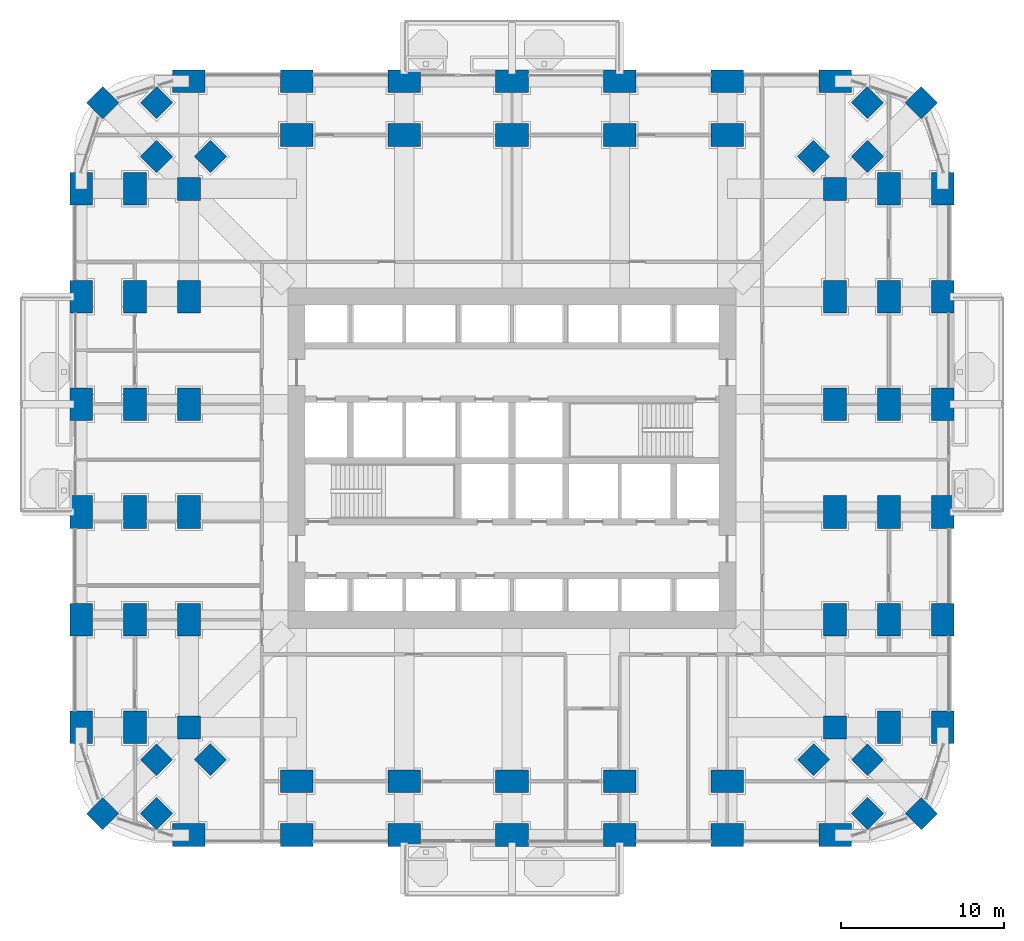
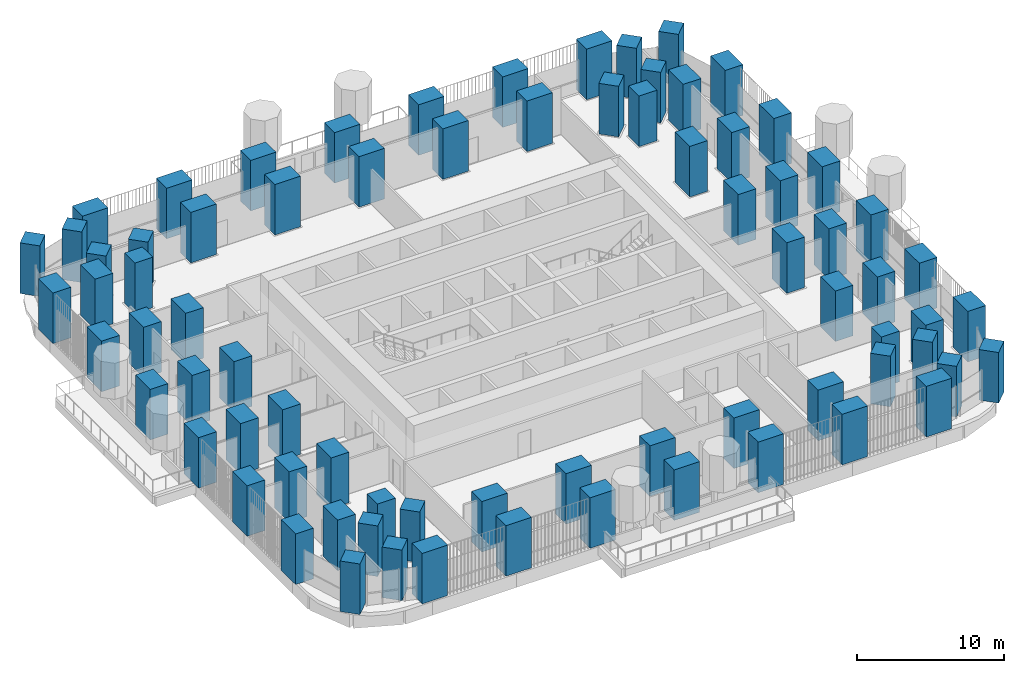
# One storey, part 1 of 24: 76 columns.
"""IFC4 building model written with IfcOpenShell, lengths in metres."""

from ifc_helpers import new_model, si_unit, direction, frame, origin, origin_2d, place, context, subcontext, project, spatial, rectangle, extrude, material, material_profile, profile_set, type_object, element, save


model = new_model("IFC4")

# Units and contexts
model_context = context("Model", 3, precision=1e-05, world=origin(), true_north=direction((0.0, 1.0)))
body_context = subcontext(model_context, "Body", "Model", "MODEL_VIEW")
ifc_project = project(units=[si_unit("LENGTHUNIT", "METRE"), si_unit("AREAUNIT", "SQUARE_METRE"), si_unit("VOLUMEUNIT", "CUBIC_METRE"), si_unit("PLANEANGLEUNIT", "RADIAN"), si_unit("MASSUNIT", "GRAM", prefix="KILO")], contexts=[model_context])

# Site, building, storey
site_placement = place(None, origin())
site = spatial("IfcSite", under=ifc_project, at=site_placement, CompositionType="ELEMENT")
building_placement = place(site_placement, origin())
building = spatial("IfcBuilding", under=site, at=building_placement, Name="Cobogo Forest Laboratory Tower", CompositionType="ELEMENT")
storey_placement = place(building_placement, frame((0.0, 0.0, 17.10009765625)))
storey = spatial("IfcBuildingStorey", under=building, at=storey_placement, Name="L03", CompositionType="ELEMENT", Elevation=17.10009765625)

# Columns
ifc_material = material(Name="Concrete HA-50 (C50/60)", Category="concrete")
ifc_material_profile_1 = material_profile(ifc_material, rectangle(XDim=2.0, YDim=1.39990234375, at=origin_2d()), Name="RC 1400x2000")
ifc_profile_set_1 = profile_set([ifc_material_profile_1], Name="Concrete HA-50 (C50/60)")
column_type_1 = type_object("IfcColumnType", Name="Blade column 1400x2000", PredefinedType="COLUMN", material=ifc_profile_set_1)
for number, where, z_axis, x_axis, name in (
    (1, (6.60009765625, 0.0, 0.0), (0.0, 0.0, 1.0), (1.0, 0.0, 0.0), "Column 2-A L03"),
    (2, (13.199951171875, 0.0, 0.0), (0.0, 0.0, 1.0), (1.0, 0.0, 0.0), "Column 3-A L03"),
    (3, (19.800048828125, 0.0, 0.0), (0.0, 0.0, 1.0), (1.0, 0.0, 0.0), "Column 4-A L03"),
    (4, (26.39990234375, 0.0, 0.0), (0.0, 0.0, 1.0), (1.0, 0.0, 0.0), "Column 5-A L03"),
    (5, (33.0, 0.0, 0.0), (0.0, 0.0, 1.0), (1.0, 0.0, 0.0), "Column 6-A L03"),
    (6, (39.60009765625, 0.0, 0.0), (0.0, 0.0, 1.0), (1.0, 0.0, 0.0), "Column 7-A L03"),
    (7, (46.199951171875, 0.0, 0.0), (0.0, 0.0, 1.0), (1.0, 0.0, 0.0), "Column 8-A L03"),
    (8, (0.0, 6.60009765625, 0.0), (0.0, 0.0, 1.0), (0.0, 1.0, 0.0), "Column 1-B L03"),
    (9, (52.800048828125, 6.60009765625, 0.0), (0.0, 0.0, 1.0), (0.0, 1.0, 0.0), "Column 9-B L03"),
    (10, (0.0, 13.199951171875, 0.0), (0.0, 0.0, 1.0), (0.0, 1.0, 0.0), "Column 1-C L03"),
    (11, (52.800048828125, 13.199951171875, 0.0), (0.0, 0.0, 1.0), (0.0, 1.0, 0.0), "Column 9-C L03"),
    (12, (0.0, 19.800048828125, 0.0), (0.0, 0.0, 1.0), (0.0, 1.0, 0.0), "Column 1-D L03"),
    (13, (52.800048828125, 19.800048828125, 0.0), (0.0, 0.0, 1.0), (0.0, 1.0, 0.0), "Column 9-D L03"),
    (14, (0.0, 26.39990234375, 0.0), (0.0, 0.0, 1.0), (0.0, 1.0, 0.0), "Column 1-E L03"),
    (15, (52.800048828125, 26.39990234375, 0.0), (0.0, 0.0, 1.0), (0.0, 1.0, 0.0), "Column 9-E L03"),
    (16, (0.0, 33.0, 0.0), (0.0, 0.0, 1.0), (0.0, 1.0, 0.0), "Column 1-F L03"),
    (17, (52.800048828125, 33.0, 0.0), (0.0, 0.0, 1.0), (0.0, 1.0, 0.0), "Column 9-F L03"),
    (18, (0.0, 39.60009765625, 0.0), (0.0, 0.0, 1.0), (0.0, 1.0, 0.0), "Column 1-G L03"),
    (19, (52.800048828125, 39.60009765625, 0.0), (0.0, 0.0, 1.0), (0.0, 1.0, 0.0), "Column 9-G L03"),
    (20, (6.60009765625, 46.199951171875, 0.0), (0.0, 0.0, 1.0), (1.0, 0.0, 0.0), "Column 2-H L03"),
    (21, (13.199951171875, 46.199951171875, 0.0), (0.0, 0.0, 1.0), (1.0, 0.0, 0.0), "Column 3-H L03"),
    (22, (19.800048828125, 46.199951171875, 0.0), (0.0, 0.0, 1.0), (1.0, 0.0, 0.0), "Column 4-H L03"),
    (23, (26.39990234375, 46.199951171875, 0.0), (0.0, 0.0, 1.0), (1.0, 0.0, 0.0), "Column 5-H L03"),
    (24, (33.0, 46.199951171875, 0.0), (0.0, 0.0, 1.0), (1.0, 0.0, 0.0), "Column 6-H L03"),
    (25, (39.60009765625, 46.199951171875, 0.0), (0.0, 0.0, 1.0), (1.0, 0.0, 0.0), "Column 7-H L03"),
    (26, (46.199951171875, 46.199951171875, 0.0), (0.0, 0.0, 1.0), (1.0, 0.0, 0.0), "Column 8-H L03"),
    (27, (3.300048828125, 6.60009765625, 0.0), (0.0, 0.0, 1.0), (0.0, 1.0, 0.0), "Column 1.1-B-B L03"),
    (28, (49.5, 6.60009765625, 0.0), (0.0, 0.0, 1.0), (0.0, 1.0, 0.0), "Column 8.1-B-B L03"),
    (29, (3.300048828125, 13.199951171875, 0.0), (0.0, 0.0, 1.0), (0.0, 1.0, 0.0), "Column 1.1-C-B L03"),
    (30, (49.5, 13.199951171875, 0.0), (0.0, 0.0, 1.0), (0.0, 1.0, 0.0), "Column 8.1-C-B L03"),
    (31, (3.300048828125, 19.800048828125, 0.0), (0.0, 0.0, 1.0), (0.0, 1.0, 0.0), "Column 1.1-D-B L03"),
    (32, (49.5, 19.800048828125, 0.0), (0.0, 0.0, 1.0), (0.0, 1.0, 0.0), "Column 8.1-D-B L03"),
    (33, (3.300048828125, 26.39990234375, 0.0), (0.0, 0.0, 1.0), (0.0, 1.0, 0.0), "Column 1.1-E-B L03"),
    (34, (49.5, 26.39990234375, 0.0), (0.0, 0.0, 1.0), (0.0, 1.0, 0.0), "Column 8.1-E-B L03"),
    (35, (3.300048828125, 33.0, 0.0), (0.0, 0.0, 1.0), (0.0, 1.0, 0.0), "Column 1.1-F-B L03"),
    (36, (49.5, 33.0, 0.0), (0.0, 0.0, 1.0), (0.0, 1.0, 0.0), "Column 8.1-F-B L03"),
    (37, (3.300048828125, 39.60009765625, 0.0), (0.0, 0.0, 1.0), (0.0, 1.0, 0.0), "Column 1.1-G-B L03"),
    (38, (49.5, 39.60009765625, 0.0), (0.0, 0.0, 1.0), (0.0, 1.0, 0.0), "Column 8.1-G-B L03"),
    (39, (13.199951171875, 3.300048828125, 0.0), (0.0, 0.0, 1.0), (1.0, 0.0, 0.0), "Column 3-A.1-C L03"),
    (40, (19.800048828125, 3.300048828125, 0.0), (0.0, 0.0, 1.0), (1.0, 0.0, 0.0), "Column 4-A.1-C L03"),
    (41, (26.39990234375, 3.300048828125, 0.0), (0.0, 0.0, 1.0), (1.0, 0.0, 0.0), "Column 5-A.1-C L03"),
    (42, (33.0, 3.300048828125, 0.0), (0.0, 0.0, 1.0), (1.0, 0.0, 0.0), "Column 6-A.1-C L03"),
    (43, (39.60009765625, 3.300048828125, 0.0), (0.0, 0.0, 1.0), (1.0, 0.0, 0.0), "Column 7-A.1-C L03"),
    (44, (13.199951171875, 42.89990234375, 0.0), (0.0, 0.0, 1.0), (1.0, 0.0, 0.0), "Column 3-G.1-C L03"),
    (45, (19.800048828125, 42.89990234375, 0.0), (0.0, 0.0, 1.0), (1.0, 0.0, 0.0), "Column 4-G.1-C L03"),
    (46, (26.39990234375, 42.89990234375, 0.0), (0.0, 0.0, 1.0), (1.0, 0.0, 0.0), "Column 5-G.1-C L03"),
    (47, (33.0, 42.89990234375, 0.0), (0.0, 0.0, 1.0), (1.0, 0.0, 0.0), "Column 6-G.1-C L03"),
    (48, (39.60009765625, 42.89990234375, 0.0), (0.0, 0.0, 1.0), (1.0, 0.0, 0.0), "Column 7-G.1-C L03"),
    (49, (6.60009765625, 13.199951171875, 0.0), (0.0, 0.0, 1.0), (0.0, 1.0, 0.0), "Column 2-C-D L03"),
    (50, (46.199951171875, 13.199951171875, 0.0), (0.0, 0.0, 1.0), (0.0, 1.0, 0.0), "Column 8-C-D L03"),
    (51, (6.60009765625, 19.800048828125, 0.0), (0.0, 0.0, 1.0), (0.0, 1.0, 0.0), "Column 2-D-D L03"),
    (52, (46.199951171875, 19.800048828125, 0.0), (0.0, 0.0, 1.0), (0.0, 1.0, 0.0), "Column 8-D-D L03"),
    (53, (6.60009765625, 26.39990234375, 0.0), (0.0, 0.0, 1.0), (0.0, 1.0, 0.0), "Column 2-E-D L03"),
    (54, (46.199951171875, 26.39990234375, 0.0), (0.0, 0.0, 1.0), (0.0, 1.0, 0.0), "Column 8-E-D L03"),
    (55, (6.60009765625, 33.0, 0.0), (0.0, 0.0, 1.0), (0.0, 1.0, 0.0), "Column 2-F-D L03"),
    (56, (46.199951171875, 33.0, 0.0), (0.0, 0.0, 1.0), (0.0, 1.0, 0.0), "Column 8-F-D L03"),
):
    element("IfcColumn", number, at=place(storey_placement, frame(where, z_axis=z_axis, x_axis=x_axis)), inside=storey, type_object=column_type_1, Name=name, PredefinedType="COLUMN", context=body_context, shape_type="SweptSolid", body=[
        extrude(rectangle(XDim=2.0, YDim=1.39990234375, at=origin_2d()), origin(), (0.0, 0.0, 1.0), 4.199951171875),
    ])
ifc_material_profile_2 = material_profile(ifc_material, rectangle(XDim=1.39990234375, YDim=1.39990234375, at=origin_2d()), Name="RC 1400x1400")
ifc_profile_set_2 = profile_set([ifc_material_profile_2], Name="Concrete HA-50 (C50/60)")
column_type_2 = type_object("IfcColumnType", Name="Column 1400x1400", PredefinedType="COLUMN", material=ifc_profile_set_2)
for number, where, z_axis, x_axis, name in (
    (57, (1.318115234375, 1.318115234375, 0.0), (0.0, 0.0, 1.0), (0.707106781187, 0.707106781187, 0.0), "Column CNR-SW L03"),
    (58, (51.48193359375, 1.318115234375, 0.0), (0.0, 0.0, 1.0), (0.707106781187, 0.707106781187, 0.0), "Column CNR-SE L03"),
    (59, (1.318115234375, 44.882080078125, 0.0), (0.0, 0.0, 1.0), (0.707106781187, 0.707106781187, 0.0), "Column CNR-NW L03"),
    (60, (51.48193359375, 44.882080078125, 0.0), (0.0, 0.0, 1.0), (0.707106781187, 0.707106781187, 0.0), "Column CNR-NE L03"),
    (61, (6.60009765625, 6.60009765625, 0.0), (0.0, 0.0, 1.0), (1.0, 0.0, 0.0), "Column 2-B L03"),
    (62, (46.199951171875, 6.60009765625, 0.0), (0.0, 0.0, 1.0), (1.0, 0.0, 0.0), "Column 8-B L03"),
    (63, (6.60009765625, 39.60009765625, 0.0), (0.0, 0.0, 1.0), (1.0, 0.0, 0.0), "Column 2-G L03"),
    (64, (46.199951171875, 39.60009765625, 0.0), (0.0, 0.0, 1.0), (1.0, 0.0, 0.0), "Column 8-G L03"),
    (65, (4.617919921875, 1.318115234375, 0.0), (0.0, 0.0, 1.0), (0.707106781187, 0.707106781187, 0.0), "Column CNR-SW-B L03"),
    (66, (48.181884765625, 1.318115234375, 0.0), (0.0, 0.0, 1.0), (0.707106781187, 0.707106781187, 0.0), "Column CNR-SE-B L03"),
    (67, (4.617919921875, 44.882080078125, 0.0), (0.0, 0.0, 1.0), (0.707106781187, 0.707106781187, 0.0), "Column CNR-NW-B L03"),
    (68, (48.181884765625, 44.882080078125, 0.0), (0.0, 0.0, 1.0), (0.707106781187, 0.707106781187, 0.0), "Column CNR-NE-B L03"),
    (69, (4.617919921875, 4.617919921875, 0.0), (0.0, 0.0, 1.0), (0.707106781187, 0.707106781187, 0.0), "Column CNR-SW-C L03"),
    (70, (48.181884765625, 4.617919921875, 0.0), (0.0, 0.0, 1.0), (0.707106781187, 0.707106781187, 0.0), "Column CNR-SE-C L03"),
    (71, (4.617919921875, 41.58203125, 0.0), (0.0, 0.0, 1.0), (0.707106781187, 0.707106781187, 0.0), "Column CNR-NW-C L03"),
    (72, (48.181884765625, 41.58203125, 0.0), (0.0, 0.0, 1.0), (0.707106781187, 0.707106781187, 0.0), "Column CNR-NE-C L03"),
    (73, (7.91796875, 4.617919921875, 0.0), (0.0, 0.0, 1.0), (0.707106781187, 0.707106781187, 0.0), "Column CNR-SW-D L03"),
    (74, (44.882080078125, 4.617919921875, 0.0), (0.0, 0.0, 1.0), (0.707106781187, 0.707106781187, 0.0), "Column CNR-SE-D L03"),
    (75, (7.91796875, 41.58203125, 0.0), (0.0, 0.0, 1.0), (0.707106781187, 0.707106781187, 0.0), "Column CNR-NW-D L03"),
    (76, (44.882080078125, 41.58203125, 0.0), (0.0, 0.0, 1.0), (0.707106781187, 0.707106781187, 0.0), "Column CNR-NE-D L03"),
):
    element("IfcColumn", number, at=place(storey_placement, frame(where, z_axis=z_axis, x_axis=x_axis)), inside=storey, type_object=column_type_2, Name=name, PredefinedType="COLUMN", context=body_context, shape_type="SweptSolid", body=[
        extrude(rectangle(XDim=1.39990234375, YDim=1.39990234375, at=origin_2d()), origin(), (0.0, 0.0, 1.0), 4.199951171875),
    ])

save(model, "model.ifc")
